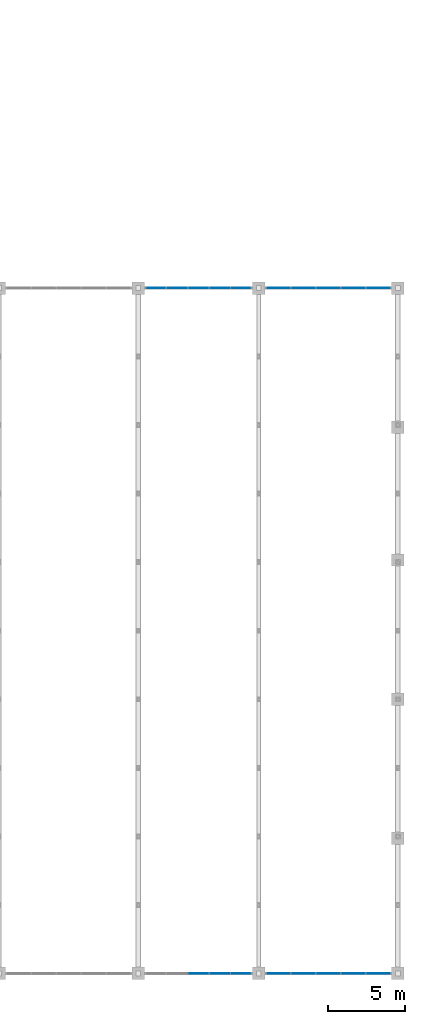
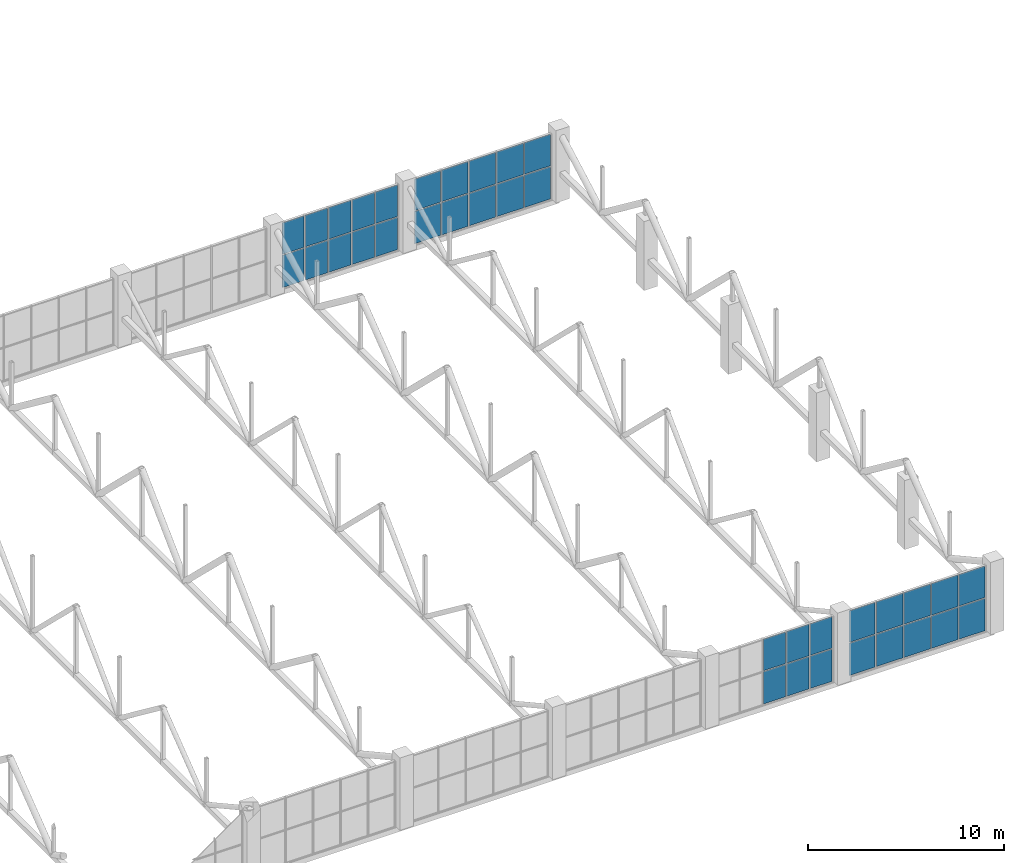
# One storey, part 79 of 103: 36 plates, 4 elements without a shape of their own.
"""IFC4 building model written with IfcOpenShell, lengths in metres."""

import ifcopenshell
import ifcopenshell.guid

model = None  # the IFC model being written
_history = None  # IfcOwnerHistory: only IFC2X3 demands one
_inside = {}  # id of a spatial element -> (the spatial element, [elements in it])
_under = {}  # id of a project, library or spatial element -> (it, [spatial elements below it])
_declared = {}  # id of a project -> (the project, [libraries it declares])
_typed = {}  # id of a type object -> (the type object, [elements of that type])
_made_of = {}  # id of a material, layer set ... -> (it, [elements and type objects made of it])


def new_model(schema):
    """Start an empty IFC model of exactly this schema.

    Asked for "IFC4X3", IfcOpenShell would pick the latest addendum, in which some entities
    have other attributes; the version numbers below select the first issue.
    IFC2X3 requires an IfcOwnerHistory on every rooted entity: one is made here for all.
    """
    global model, _history
    if schema == "IFC4X3":
        model = ifcopenshell.file(schema_version=(4, 3, 0, 0))
    else:
        model = ifcopenshell.file(schema=schema)
    _inside.clear()
    _under.clear()
    _declared.clear()
    _typed.clear()
    _made_of.clear()
    _history = None
    if model.schema == "IFC2X3":
        org = make("IfcOrganization", Name="unknown")
        user = make(
            "IfcPersonAndOrganization",
            ThePerson=make("IfcPerson", FamilyName="unknown"),
            TheOrganization=org,
        )
        app = make(
            "IfcApplication",
            ApplicationDeveloper=org,
            Version="unknown",
            ApplicationFullName="unknown",
            ApplicationIdentifier="unknown",
        )
        _history = make(
            "IfcOwnerHistory",
            OwningUser=user,
            OwningApplication=app,
            ChangeAction="ADDED",
            CreationDate=0,
        )
    return model


def make(cls, **values):
    """One entity of the class cls with the attributes given. An attribute that is None is left unset."""
    return model.create_entity(
        cls, **{name: value for name, value in values.items() if value is not None}
    )


def rooted(cls, **values):
    """An entity with a GlobalId (a new one), such as an element, a storey or a relation."""
    return make(cls, GlobalId=ifcopenshell.guid.new(), OwnerHistory=_history, **values)


def si_unit(unit_type, name, prefix=None):
    """IfcSIUnit, for example si_unit("LENGTHUNIT", "METRE", prefix="MILLI")."""
    return make("IfcSIUnit", UnitType=unit_type, Prefix=prefix, Name=name)


def assignment(units):
    """IfcUnitAssignment: the units of a project."""
    return None if units is None else make("IfcUnitAssignment", Units=units)


def point(xyz):
    """IfcCartesianPoint."""
    return None if xyz is None else make("IfcCartesianPoint", Coordinates=xyz)


def direction(xyz):
    """IfcDirection."""
    return None if xyz is None else make("IfcDirection", DirectionRatios=xyz)


def frame(location, z_axis=None, x_axis=None):
    """IfcAxis2Placement3D, a coordinate frame: its origin and axes. An axis left out is left unset."""
    return make(
        "IfcAxis2Placement3D",
        Location=point(location),
        Axis=direction(z_axis),
        RefDirection=direction(x_axis),
    )


def frame_2d(location, x_axis=None):
    """IfcAxis2Placement2D, a coordinate frame in the plane: its origin and x axis."""
    return make(
        "IfcAxis2Placement2D", Location=point(location), RefDirection=direction(x_axis)
    )


def origin():
    """The frame at (0, 0, 0) with its axes left unset."""
    return frame((0.0, 0.0, 0.0))


def origin_2d():
    """The frame at (0, 0) in the plane with its x axis left unset."""
    return frame_2d((0.0, 0.0))


def place(relative_to, where):
    """IfcLocalPlacement: puts the frame where relative to a parent placement (None: the world)."""
    return make(
        "IfcLocalPlacement", PlacementRelTo=relative_to, RelativePlacement=where
    )


def context(
    kind, dimensions, precision=None, world=None, true_north=None, identifier=None
):
    """IfcGeometricRepresentationContext, for example the 3D "Model" context."""
    return make(
        "IfcGeometricRepresentationContext",
        ContextIdentifier=identifier,
        ContextType=kind,
        CoordinateSpaceDimension=dimensions,
        Precision=precision,
        WorldCoordinateSystem=world,
        TrueNorth=true_north,
    )


def subcontext(parent, identifier, kind, view, scale=None):
    """IfcGeometricRepresentationSubContext, for example "Body" below "Model"."""
    return make(
        "IfcGeometricRepresentationSubContext",
        ContextIdentifier=identifier,
        ContextType=kind,
        ParentContext=parent,
        TargetScale=scale,
        TargetView=view,
    )


def project(units=None, contexts=None):
    """IfcProject with its units and contexts."""
    return rooted(
        "IfcProject",
        Name="project",
        RepresentationContexts=contexts,
        UnitsInContext=assignment(units),
    )


def spatial(cls, under=None, at=None, **own):
    """A site, building, storey or space (cls), placed at a placement, below another one or the project."""
    s = rooted(cls, ObjectPlacement=at, **own)
    if under is not None:
        _under.setdefault(under.id(), (under, []))[1].append(s)
    return s


def profile(cls, at=None, kind="AREA", **sizes):
    """A parametric profile (cls). Its sizes go by their IFC names, for example OverallWidth=200.0."""
    return make(cls, ProfileType=kind, Position=at, **sizes)


def rectangle(**sizes):
    """IfcRectangleProfileDef."""
    return profile("IfcRectangleProfileDef", **sizes)


def extrude(swept, where, along, depth):
    """IfcExtrudedAreaSolid: the profile swept, set in the frame where, extruded along a direction by depth."""
    return make(
        "IfcExtrudedAreaSolid",
        SweptArea=swept,
        Position=where,
        ExtrudedDirection=direction(along),
        Depth=depth,
    )


def shape(context_of_items, identifier, shape_type, items):
    """IfcShapeRepresentation: the items that make up one representation, for example the "Body"."""
    return make(
        "IfcShapeRepresentation",
        ContextOfItems=context_of_items,
        RepresentationIdentifier=identifier,
        RepresentationType=shape_type,
        Items=items,
    )


def material(Name=None, Category=None):
    """IfcMaterial."""
    return make("IfcMaterial", Name=Name, Category=Category)


def layer(
    of_material, thickness, ventilated=None, Name=None, Category=None, Priority=None
):
    """IfcMaterialLayer: one layer of a wall or slab, of a material (None: an air gap)."""
    return make(
        "IfcMaterialLayer",
        Material=of_material,
        LayerThickness=thickness,
        IsVentilated=ventilated,
        Name=Name,
        Category=Category,
        Priority=Priority,
    )


def layer_set(layers, Name=None):
    """IfcMaterialLayerSet."""
    return make("IfcMaterialLayerSet", MaterialLayers=layers, LayerSetName=Name)


def made_of(thing, what):
    """Note that an element or type object is made of a material, layer set ...; save() writes the relation."""
    if what is not None:
        _made_of.setdefault(what.id(), (what, []))[1].append(thing)
    return thing


def type_object(cls, material=None, **own):
    """A type object (cls), such as IfcWallType, which elements share."""
    return made_of(rooted(cls, **own), material)


def element(
    cls,
    number,
    at=None,
    inside=None,
    cuts=None,
    type_object=None,
    material=None,
    context=None,
    identifier="Body",
    shape_type=None,
    held_by="IfcProductDefinitionShape",
    body=None,
    shapes=None,
    **own,
):
    """One element of the class cls, such as IfcWall. Its Tag is "e" and its number.

    at: its placement. inside: the storey or other place that contains it. cuts: it is an
    opening in that element (IfcRelVoidsElement). A single representation is given by context,
    identifier, shape_type and body (its items); several are given by shapes. held_by: the class
    of the entity that holds the representations. save() writes the other relations.
    """
    e = rooted(cls, Tag="e%d" % number, ObjectPlacement=at, **own)
    if body is not None:
        shapes = [shape(context, identifier, shape_type, body)]
    if shapes is not None:
        e.Representation = make(held_by, Representations=shapes)
    if inside is not None:
        _inside.setdefault(inside.id(), (inside, []))[1].append(e)
    if cuts is not None:
        rooted(
            "IfcRelVoidsElement", RelatingBuildingElement=cuts, RelatedOpeningElement=e
        )
    if type_object is not None:
        _typed.setdefault(type_object.id(), (type_object, []))[1].append(e)
    return made_of(e, material)


def aggregate(whole, parts):
    """IfcRelAggregates: a whole, such as a stair, and the parts it consists of."""
    return rooted("IfcRelAggregates", RelatingObject=whole, RelatedObjects=parts)


def save(model, path):
    """Write the relations noted so far, then the file.

    IfcRelAggregates (storeys below a building ...), IfcRelContainedInSpatialStructure (elements
    in a storey), IfcRelDefinesByType, IfcRelAssociatesMaterial and IfcRelDeclares: one each for
    every whole, place, type object, material and project.
    """
    for whole, parts in _under.values():
        aggregate(whole, parts)
    for where, things in _inside.values():
        rooted(
            "IfcRelContainedInSpatialStructure",
            RelatedElements=things,
            RelatingStructure=where,
        )
    for kind, things in _typed.values():
        rooted("IfcRelDefinesByType", RelatedObjects=things, RelatingType=kind)
    for what, things in _made_of.values():
        rooted("IfcRelAssociatesMaterial", RelatedObjects=things, RelatingMaterial=what)
    for by, libraries in _declared.values():
        rooted("IfcRelDeclares", RelatingContext=by, RelatedDefinitions=libraries)
    model.write(path)


model = new_model("IFC4")

# Units and contexts
model_context = context("Model", 3, precision=1e-05, world=origin(), true_north=direction((0.0, 1.0)))
body_context = subcontext(model_context, "Body", "Model", "MODEL_VIEW")
ifc_project = project(units=[si_unit("LENGTHUNIT", "METRE"), si_unit("AREAUNIT", "SQUARE_METRE"), si_unit("VOLUMEUNIT", "CUBIC_METRE"), si_unit("PLANEANGLEUNIT", "RADIAN"), si_unit("MASSUNIT", "GRAM", prefix="KILO")], contexts=[model_context])

# Site, building, storey
site_placement = place(None, origin())
site = spatial("IfcSite", under=ifc_project, at=site_placement, CompositionType="ELEMENT")
building_placement = place(site_placement, origin())
building = spatial("IfcBuilding", under=site, at=building_placement, Name="Cazmaro Siding Exhibition Halls", CompositionType="ELEMENT")
storey_placement = place(building_placement, frame((0.0, 0.0, 16.5)))
storey = spatial("IfcBuildingStorey", under=building, at=storey_placement, Name="L03", CompositionType="ELEMENT", Elevation=16.5)

# Curtain wall, plates
ifc_material_1 = material(Name="Anodized Bronze Aluminum and Solar-Control Low-E Glazing", Category="aluminium")
ifc_layer_1 = layer(ifc_material_1, 0.159912109375)
ifc_layer_set_1 = layer_set([ifc_layer_1], Name="Anodized Bronze Aluminum and Solar-Control Low-E Glazing")
curtain_wall_type = type_object("IfcCurtainWallType", Name="CWS-04", PredefinedType="USERDEFINED", material=ifc_layer_set_1)
curtain_wall_1_placement = place(storey_placement, origin())
curtain_wall_1 = element("IfcCurtainWall", 1, at=curtain_wall_1_placement, inside=storey, type_object=curtain_wall_type, Name="Clerestory Curtain Wall CWS-04 CW-106", ObjectType="CLERESTORY CURTAIN WALL", PredefinedType="USERDEFINED")
ifc_material_2 = material(Name="Solar-Control Low-E Double Insulating Glass", Category="glass")
ifc_layer_2 = layer(ifc_material_2, 0.028076171875)
ifc_layer_set_2 = layer_set([ifc_layer_2], Name="Solar-Control Low-E Double Insulating Glass")
plate_type = type_object("IfcPlateType", Name="CWP-04", PredefinedType="CURTAIN_PANEL", material=ifc_layer_set_2)
plate_1_placement = place(storey_placement, frame((192.89990234375, 9.25, 0.06005859375), z_axis=(0.0, 0.0, 1.0), x_axis=(1.0, 0.0, 0.0)))
plate_1 = element("IfcPlate", 2, at=plate_1_placement, type_object=plate_type, Name="CWS-04 panel 3.1", PredefinedType="CURTAIN_PANEL", context=body_context, shape_type="SweptSolid", body=[
    extrude(rectangle(XDim=1.322021484375, YDim=0.028076171875, at=origin_2d()), origin(), (0.0, 0.0, 1.0), 2.010009765625),
])
plate_2_placement = place(storey_placement, frame((192.89990234375, 9.25, 2.130126953125), z_axis=(0.0, 0.0, 1.0), x_axis=(1.0, 0.0, 0.0)))
plate_2 = element("IfcPlate", 3, at=plate_2_placement, type_object=plate_type, Name="CWS-04 panel 3.2", PredefinedType="CURTAIN_PANEL", context=body_context, shape_type="SweptSolid", body=[
    extrude(rectangle(XDim=1.322021484375, YDim=0.028076171875, at=origin_2d()), origin(), (0.0, 0.0, 1.0), 1.9599609375),
])
plate_3_placement = place(storey_placement, frame((194.281982421875, 9.25, 0.06005859375), z_axis=(0.0, 0.0, 1.0), x_axis=(1.0, 0.0, 0.0)))
plate_3 = element("IfcPlate", 4, at=plate_3_placement, type_object=plate_type, Name="CWS-04 panel 4.1", PredefinedType="CURTAIN_PANEL", context=body_context, shape_type="SweptSolid", body=[
    extrude(rectangle(XDim=1.322021484375, YDim=0.028076171875, at=origin_2d()), origin(), (0.0, 0.0, 1.0), 2.010009765625),
])
plate_4_placement = place(storey_placement, frame((194.281982421875, 9.25, 2.130126953125), z_axis=(0.0, 0.0, 1.0), x_axis=(1.0, 0.0, 0.0)))
plate_4 = element("IfcPlate", 5, at=plate_4_placement, type_object=plate_type, Name="CWS-04 panel 4.2", PredefinedType="CURTAIN_PANEL", context=body_context, shape_type="SweptSolid", body=[
    extrude(rectangle(XDim=1.322021484375, YDim=0.028076171875, at=origin_2d()), origin(), (0.0, 0.0, 1.0), 1.9599609375),
])
plate_5_placement = place(storey_placement, frame((195.64892578125, 9.25, 0.06005859375), z_axis=(0.0, 0.0, 1.0), x_axis=(1.0, 0.0, 0.0)))
plate_5 = element("IfcPlate", 6, at=plate_5_placement, type_object=plate_type, Name="CWS-04 panel 5.1", PredefinedType="CURTAIN_PANEL", context=body_context, shape_type="SweptSolid", body=[
    extrude(rectangle(XDim=1.2919921875, YDim=0.028076171875, at=origin_2d()), origin(), (0.0, 0.0, 1.0), 2.010009765625),
])
plate_6_placement = place(storey_placement, frame((195.64892578125, 9.25, 2.130126953125), z_axis=(0.0, 0.0, 1.0), x_axis=(1.0, 0.0, 0.0)))
plate_6 = element("IfcPlate", 7, at=plate_6_placement, type_object=plate_type, Name="CWS-04 panel 5.2", PredefinedType="CURTAIN_PANEL", context=body_context, shape_type="SweptSolid", body=[
    extrude(rectangle(XDim=1.2919921875, YDim=0.028076171875, at=origin_2d()), origin(), (0.0, 0.0, 1.0), 1.9599609375),
])
aggregate(curtain_wall_1, [plate_1, plate_2, plate_3, plate_4, plate_5, plate_6])

curtain_wall_2_placement = place(storey_placement, origin())
curtain_wall_2 = element("IfcCurtainWall", 8, at=curtain_wall_2_placement, inside=storey, type_object=curtain_wall_type, Name="Clerestory Curtain Wall CWS-04 CW-107", ObjectType="CLERESTORY CURTAIN WALL", PredefinedType="USERDEFINED")
plate_7_placement = place(storey_placement, frame((195.64892578125, 53.60009765625, 0.06005859375), z_axis=(0.0, 0.0, 1.0), x_axis=(-1.0, 0.0, 0.0)))
plate_7 = element("IfcPlate", 9, at=plate_7_placement, type_object=plate_type, Name="CWS-04 panel 1.1", PredefinedType="CURTAIN_PANEL", context=body_context, shape_type="SweptSolid", body=[
    extrude(rectangle(XDim=1.2919921875, YDim=0.028076171875, at=origin_2d()), origin(), (0.0, 0.0, 1.0), 2.010009765625),
])
plate_8_placement = place(storey_placement, frame((195.64892578125, 53.60009765625, 2.130126953125), z_axis=(0.0, 0.0, 1.0), x_axis=(-1.0, 0.0, 0.0)))
plate_8 = element("IfcPlate", 10, at=plate_8_placement, type_object=plate_type, Name="CWS-04 panel 1.2", PredefinedType="CURTAIN_PANEL", context=body_context, shape_type="SweptSolid", body=[
    extrude(rectangle(XDim=1.2919921875, YDim=0.028076171875, at=origin_2d()), origin(), (0.0, 0.0, 1.0), 1.9599609375),
])
plate_9_placement = place(storey_placement, frame((194.281982421875, 53.60009765625, 0.06005859375), z_axis=(0.0, 0.0, 1.0), x_axis=(-1.0, 0.0, 0.0)))
plate_9 = element("IfcPlate", 11, at=plate_9_placement, type_object=plate_type, Name="CWS-04 panel 2.1", PredefinedType="CURTAIN_PANEL", context=body_context, shape_type="SweptSolid", body=[
    extrude(rectangle(XDim=1.322021484375, YDim=0.028076171875, at=origin_2d()), origin(), (0.0, 0.0, 1.0), 2.010009765625),
])
plate_10_placement = place(storey_placement, frame((194.281982421875, 53.60009765625, 2.130126953125), z_axis=(0.0, 0.0, 1.0), x_axis=(-1.0, 0.0, 0.0)))
plate_10 = element("IfcPlate", 12, at=plate_10_placement, type_object=plate_type, Name="CWS-04 panel 2.2", PredefinedType="CURTAIN_PANEL", context=body_context, shape_type="SweptSolid", body=[
    extrude(rectangle(XDim=1.322021484375, YDim=0.028076171875, at=origin_2d()), origin(), (0.0, 0.0, 1.0), 1.9599609375),
])
plate_11_placement = place(storey_placement, frame((192.89990234375, 53.60009765625, 0.06005859375), z_axis=(0.0, 0.0, 1.0), x_axis=(-1.0, 0.0, 0.0)))
plate_11 = element("IfcPlate", 13, at=plate_11_placement, type_object=plate_type, Name="CWS-04 panel 3.1", PredefinedType="CURTAIN_PANEL", context=body_context, shape_type="SweptSolid", body=[
    extrude(rectangle(XDim=1.322021484375, YDim=0.028076171875, at=origin_2d()), origin(), (0.0, 0.0, 1.0), 2.010009765625),
])
plate_12_placement = place(storey_placement, frame((192.89990234375, 53.60009765625, 2.130126953125), z_axis=(0.0, 0.0, 1.0), x_axis=(-1.0, 0.0, 0.0)))
plate_12 = element("IfcPlate", 14, at=plate_12_placement, type_object=plate_type, Name="CWS-04 panel 3.2", PredefinedType="CURTAIN_PANEL", context=body_context, shape_type="SweptSolid", body=[
    extrude(rectangle(XDim=1.322021484375, YDim=0.028076171875, at=origin_2d()), origin(), (0.0, 0.0, 1.0), 1.9599609375),
])
plate_13_placement = place(storey_placement, frame((191.51806640625, 53.60009765625, 0.06005859375), z_axis=(0.0, 0.0, 1.0), x_axis=(-1.0, 0.0, 0.0)))
plate_13 = element("IfcPlate", 15, at=plate_13_placement, type_object=plate_type, Name="CWS-04 panel 4.1", PredefinedType="CURTAIN_PANEL", context=body_context, shape_type="SweptSolid", body=[
    extrude(rectangle(XDim=1.322021484375, YDim=0.028076171875, at=origin_2d()), origin(), (0.0, 0.0, 1.0), 2.010009765625),
])
plate_14_placement = place(storey_placement, frame((191.51806640625, 53.60009765625, 2.130126953125), z_axis=(0.0, 0.0, 1.0), x_axis=(-1.0, 0.0, 0.0)))
plate_14 = element("IfcPlate", 16, at=plate_14_placement, type_object=plate_type, Name="CWS-04 panel 4.2", PredefinedType="CURTAIN_PANEL", context=body_context, shape_type="SweptSolid", body=[
    extrude(rectangle(XDim=1.322021484375, YDim=0.028076171875, at=origin_2d()), origin(), (0.0, 0.0, 1.0), 1.9599609375),
])
plate_15_placement = place(storey_placement, frame((190.15087890625, 53.60009765625, 0.06005859375), z_axis=(0.0, 0.0, 1.0), x_axis=(-1.0, 0.0, 0.0)))
plate_15 = element("IfcPlate", 17, at=plate_15_placement, type_object=plate_type, Name="CWS-04 panel 5.1", PredefinedType="CURTAIN_PANEL", context=body_context, shape_type="SweptSolid", body=[
    extrude(rectangle(XDim=1.2919921875, YDim=0.028076171875, at=origin_2d()), origin(), (0.0, 0.0, 1.0), 2.010009765625),
])
plate_16_placement = place(storey_placement, frame((190.15087890625, 53.60009765625, 2.130126953125), z_axis=(0.0, 0.0, 1.0), x_axis=(-1.0, 0.0, 0.0)))
plate_16 = element("IfcPlate", 18, at=plate_16_placement, type_object=plate_type, Name="CWS-04 panel 5.2", PredefinedType="CURTAIN_PANEL", context=body_context, shape_type="SweptSolid", body=[
    extrude(rectangle(XDim=1.2919921875, YDim=0.028076171875, at=origin_2d()), origin(), (0.0, 0.0, 1.0), 1.9599609375),
])
aggregate(curtain_wall_2, [plate_7, plate_8, plate_9, plate_10, plate_11, plate_12, plate_13, plate_14, plate_15, plate_16])

curtain_wall_3_placement = place(storey_placement, origin())
curtain_wall_3 = element("IfcCurtainWall", 19, at=curtain_wall_3_placement, inside=storey, type_object=curtain_wall_type, Name="Clerestory Curtain Wall CWS-04 CW-108", ObjectType="CLERESTORY CURTAIN WALL", PredefinedType="USERDEFINED")
plate_17_placement = place(storey_placement, frame((198.071044921875, 9.25, 0.06005859375), z_axis=(0.0, 0.0, 1.0), x_axis=(1.0, 0.0, 0.0)))
plate_17 = element("IfcPlate", 20, at=plate_17_placement, type_object=plate_type, Name="CWS-04 panel 1.1", PredefinedType="CURTAIN_PANEL", context=body_context, shape_type="SweptSolid", body=[
    extrude(rectangle(XDim=1.531982421875, YDim=0.028076171875, at=origin_2d()), origin(), (0.0, 0.0, 1.0), 2.010009765625),
])
plate_18_placement = place(storey_placement, frame((198.071044921875, 9.25, 2.130126953125), z_axis=(0.0, 0.0, 1.0), x_axis=(1.0, 0.0, 0.0)))
plate_18 = element("IfcPlate", 21, at=plate_18_placement, type_object=plate_type, Name="CWS-04 panel 1.2", PredefinedType="CURTAIN_PANEL", context=body_context, shape_type="SweptSolid", body=[
    extrude(rectangle(XDim=1.531982421875, YDim=0.028076171875, at=origin_2d()), origin(), (0.0, 0.0, 1.0), 1.9599609375),
])
plate_19_placement = place(storey_placement, frame((199.677978515625, 9.25, 0.06005859375), z_axis=(0.0, 0.0, 1.0), x_axis=(1.0, 0.0, 0.0)))
plate_19 = element("IfcPlate", 22, at=plate_19_placement, type_object=plate_type, Name="CWS-04 panel 2.1", PredefinedType="CURTAIN_PANEL", context=body_context, shape_type="SweptSolid", body=[
    extrude(rectangle(XDim=1.56201171875, YDim=0.028076171875, at=origin_2d()), origin(), (0.0, 0.0, 1.0), 2.010009765625),
])
plate_20_placement = place(storey_placement, frame((199.677978515625, 9.25, 2.130126953125), z_axis=(0.0, 0.0, 1.0), x_axis=(1.0, 0.0, 0.0)))
plate_20 = element("IfcPlate", 23, at=plate_20_placement, type_object=plate_type, Name="CWS-04 panel 2.2", PredefinedType="CURTAIN_PANEL", context=body_context, shape_type="SweptSolid", body=[
    extrude(rectangle(XDim=1.56201171875, YDim=0.028076171875, at=origin_2d()), origin(), (0.0, 0.0, 1.0), 1.9599609375),
])
plate_21_placement = place(storey_placement, frame((201.300048828125, 9.25, 0.06005859375), z_axis=(0.0, 0.0, 1.0), x_axis=(1.0, 0.0, 0.0)))
plate_21 = element("IfcPlate", 24, at=plate_21_placement, type_object=plate_type, Name="CWS-04 panel 3.1", PredefinedType="CURTAIN_PANEL", context=body_context, shape_type="SweptSolid", body=[
    extrude(rectangle(XDim=1.56201171875, YDim=0.028076171875, at=origin_2d()), origin(), (0.0, 0.0, 1.0), 2.010009765625),
])
plate_22_placement = place(storey_placement, frame((201.300048828125, 9.25, 2.130126953125), z_axis=(0.0, 0.0, 1.0), x_axis=(1.0, 0.0, 0.0)))
plate_22 = element("IfcPlate", 25, at=plate_22_placement, type_object=plate_type, Name="CWS-04 panel 3.2", PredefinedType="CURTAIN_PANEL", context=body_context, shape_type="SweptSolid", body=[
    extrude(rectangle(XDim=1.56201171875, YDim=0.028076171875, at=origin_2d()), origin(), (0.0, 0.0, 1.0), 1.9599609375),
])
plate_23_placement = place(storey_placement, frame((202.922119140625, 9.25, 0.06005859375), z_axis=(0.0, 0.0, 1.0), x_axis=(1.0, 0.0, 0.0)))
plate_23 = element("IfcPlate", 26, at=plate_23_placement, type_object=plate_type, Name="CWS-04 panel 4.1", PredefinedType="CURTAIN_PANEL", context=body_context, shape_type="SweptSolid", body=[
    extrude(rectangle(XDim=1.56201171875, YDim=0.028076171875, at=origin_2d()), origin(), (0.0, 0.0, 1.0), 2.010009765625),
])
plate_24_placement = place(storey_placement, frame((202.922119140625, 9.25, 2.130126953125), z_axis=(0.0, 0.0, 1.0), x_axis=(1.0, 0.0, 0.0)))
plate_24 = element("IfcPlate", 27, at=plate_24_placement, type_object=plate_type, Name="CWS-04 panel 4.2", PredefinedType="CURTAIN_PANEL", context=body_context, shape_type="SweptSolid", body=[
    extrude(rectangle(XDim=1.56201171875, YDim=0.028076171875, at=origin_2d()), origin(), (0.0, 0.0, 1.0), 1.9599609375),
])
plate_25_placement = place(storey_placement, frame((204.529052734375, 9.25, 0.06005859375), z_axis=(0.0, 0.0, 1.0), x_axis=(1.0, 0.0, 0.0)))
plate_25 = element("IfcPlate", 28, at=plate_25_placement, type_object=plate_type, Name="CWS-04 panel 5.1", PredefinedType="CURTAIN_PANEL", context=body_context, shape_type="SweptSolid", body=[
    extrude(rectangle(XDim=1.531982421875, YDim=0.028076171875, at=origin_2d()), origin(), (0.0, 0.0, 1.0), 2.010009765625),
])
plate_26_placement = place(storey_placement, frame((204.529052734375, 9.25, 2.130126953125), z_axis=(0.0, 0.0, 1.0), x_axis=(1.0, 0.0, 0.0)))
plate_26 = element("IfcPlate", 29, at=plate_26_placement, type_object=plate_type, Name="CWS-04 panel 5.2", PredefinedType="CURTAIN_PANEL", context=body_context, shape_type="SweptSolid", body=[
    extrude(rectangle(XDim=1.531982421875, YDim=0.028076171875, at=origin_2d()), origin(), (0.0, 0.0, 1.0), 1.9599609375),
])
aggregate(curtain_wall_3, [plate_17, plate_18, plate_19, plate_20, plate_21, plate_22, plate_23, plate_24, plate_25, plate_26])

curtain_wall_4_placement = place(storey_placement, origin())
curtain_wall_4 = element("IfcCurtainWall", 30, at=curtain_wall_4_placement, inside=storey, type_object=curtain_wall_type, Name="Clerestory Curtain Wall CWS-04 CW-109", ObjectType="CLERESTORY CURTAIN WALL", PredefinedType="USERDEFINED")
plate_27_placement = place(storey_placement, frame((204.529052734375, 53.60009765625, 0.06005859375), z_axis=(0.0, 0.0, 1.0), x_axis=(-1.0, 0.0, 0.0)))
plate_27 = element("IfcPlate", 31, at=plate_27_placement, type_object=plate_type, Name="CWS-04 panel 1.1", PredefinedType="CURTAIN_PANEL", context=body_context, shape_type="SweptSolid", body=[
    extrude(rectangle(XDim=1.531982421875, YDim=0.028076171875, at=origin_2d()), origin(), (0.0, 0.0, 1.0), 2.010009765625),
])
plate_28_placement = place(storey_placement, frame((204.529052734375, 53.60009765625, 2.130126953125), z_axis=(0.0, 0.0, 1.0), x_axis=(-1.0, 0.0, 0.0)))
plate_28 = element("IfcPlate", 32, at=plate_28_placement, type_object=plate_type, Name="CWS-04 panel 1.2", PredefinedType="CURTAIN_PANEL", context=body_context, shape_type="SweptSolid", body=[
    extrude(rectangle(XDim=1.531982421875, YDim=0.028076171875, at=origin_2d()), origin(), (0.0, 0.0, 1.0), 1.9599609375),
])
plate_29_placement = place(storey_placement, frame((202.922119140625, 53.60009765625, 0.06005859375), z_axis=(0.0, 0.0, 1.0), x_axis=(-1.0, 0.0, 0.0)))
plate_29 = element("IfcPlate", 33, at=plate_29_placement, type_object=plate_type, Name="CWS-04 panel 2.1", PredefinedType="CURTAIN_PANEL", context=body_context, shape_type="SweptSolid", body=[
    extrude(rectangle(XDim=1.56201171875, YDim=0.028076171875, at=origin_2d()), origin(), (0.0, 0.0, 1.0), 2.010009765625),
])
plate_30_placement = place(storey_placement, frame((202.922119140625, 53.60009765625, 2.130126953125), z_axis=(0.0, 0.0, 1.0), x_axis=(-1.0, 0.0, 0.0)))
plate_30 = element("IfcPlate", 34, at=plate_30_placement, type_object=plate_type, Name="CWS-04 panel 2.2", PredefinedType="CURTAIN_PANEL", context=body_context, shape_type="SweptSolid", body=[
    extrude(rectangle(XDim=1.56201171875, YDim=0.028076171875, at=origin_2d()), origin(), (0.0, 0.0, 1.0), 1.9599609375),
])
plate_31_placement = place(storey_placement, frame((201.300048828125, 53.60009765625, 0.06005859375), z_axis=(0.0, 0.0, 1.0), x_axis=(-1.0, 0.0, 0.0)))
plate_31 = element("IfcPlate", 35, at=plate_31_placement, type_object=plate_type, Name="CWS-04 panel 3.1", PredefinedType="CURTAIN_PANEL", context=body_context, shape_type="SweptSolid", body=[
    extrude(rectangle(XDim=1.56201171875, YDim=0.028076171875, at=origin_2d()), origin(), (0.0, 0.0, 1.0), 2.010009765625),
])
plate_32_placement = place(storey_placement, frame((201.300048828125, 53.60009765625, 2.130126953125), z_axis=(0.0, 0.0, 1.0), x_axis=(-1.0, 0.0, 0.0)))
plate_32 = element("IfcPlate", 36, at=plate_32_placement, type_object=plate_type, Name="CWS-04 panel 3.2", PredefinedType="CURTAIN_PANEL", context=body_context, shape_type="SweptSolid", body=[
    extrude(rectangle(XDim=1.56201171875, YDim=0.028076171875, at=origin_2d()), origin(), (0.0, 0.0, 1.0), 1.9599609375),
])
plate_33_placement = place(storey_placement, frame((199.677978515625, 53.60009765625, 0.06005859375), z_axis=(0.0, 0.0, 1.0), x_axis=(-1.0, 0.0, 0.0)))
plate_33 = element("IfcPlate", 37, at=plate_33_placement, type_object=plate_type, Name="CWS-04 panel 4.1", PredefinedType="CURTAIN_PANEL", context=body_context, shape_type="SweptSolid", body=[
    extrude(rectangle(XDim=1.56201171875, YDim=0.028076171875, at=origin_2d()), origin(), (0.0, 0.0, 1.0), 2.010009765625),
])
plate_34_placement = place(storey_placement, frame((199.677978515625, 53.60009765625, 2.130126953125), z_axis=(0.0, 0.0, 1.0), x_axis=(-1.0, 0.0, 0.0)))
plate_34 = element("IfcPlate", 38, at=plate_34_placement, type_object=plate_type, Name="CWS-04 panel 4.2", PredefinedType="CURTAIN_PANEL", context=body_context, shape_type="SweptSolid", body=[
    extrude(rectangle(XDim=1.56201171875, YDim=0.028076171875, at=origin_2d()), origin(), (0.0, 0.0, 1.0), 1.9599609375),
])
plate_35_placement = place(storey_placement, frame((198.071044921875, 53.60009765625, 0.06005859375), z_axis=(0.0, 0.0, 1.0), x_axis=(-1.0, 0.0, 0.0)))
plate_35 = element("IfcPlate", 39, at=plate_35_placement, type_object=plate_type, Name="CWS-04 panel 5.1", PredefinedType="CURTAIN_PANEL", context=body_context, shape_type="SweptSolid", body=[
    extrude(rectangle(XDim=1.531982421875, YDim=0.028076171875, at=origin_2d()), origin(), (0.0, 0.0, 1.0), 2.010009765625),
])
plate_36_placement = place(storey_placement, frame((198.071044921875, 53.60009765625, 2.130126953125), z_axis=(0.0, 0.0, 1.0), x_axis=(-1.0, 0.0, 0.0)))
plate_36 = element("IfcPlate", 40, at=plate_36_placement, type_object=plate_type, Name="CWS-04 panel 5.2", PredefinedType="CURTAIN_PANEL", context=body_context, shape_type="SweptSolid", body=[
    extrude(rectangle(XDim=1.531982421875, YDim=0.028076171875, at=origin_2d()), origin(), (0.0, 0.0, 1.0), 1.9599609375),
])
aggregate(curtain_wall_4, [plate_27, plate_28, plate_29, plate_30, plate_31, plate_32, plate_33, plate_34, plate_35, plate_36])

save(model, "model.ifc")
